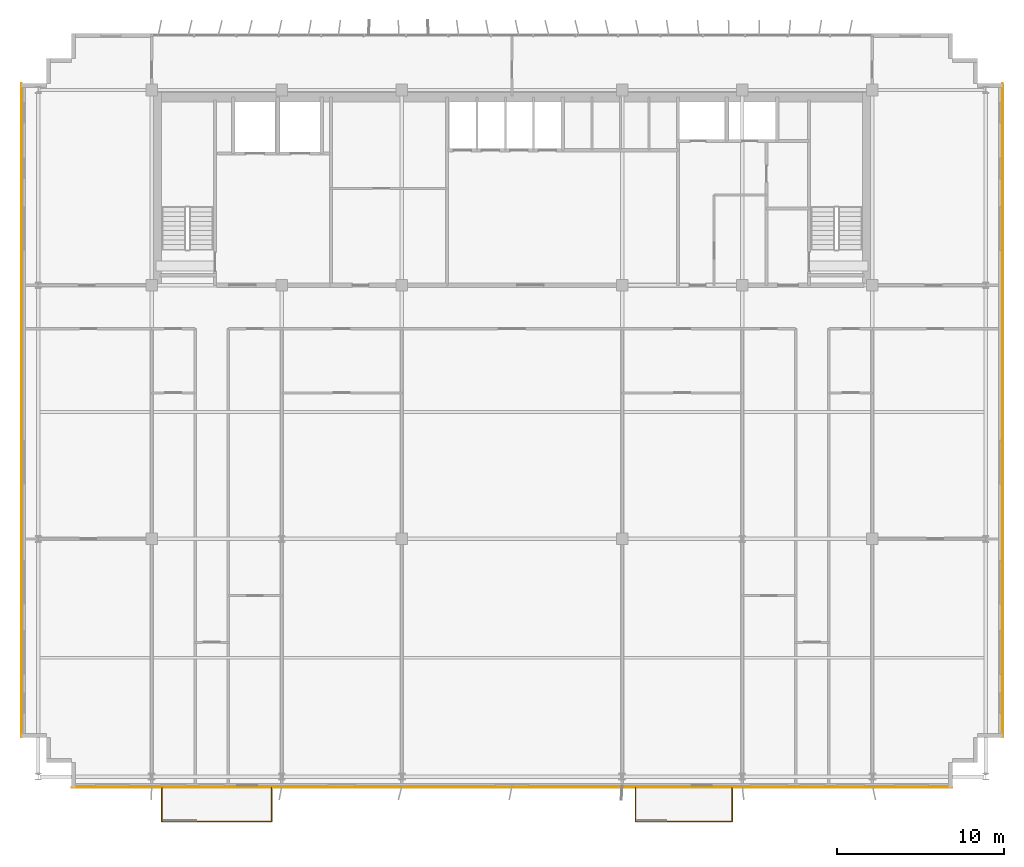
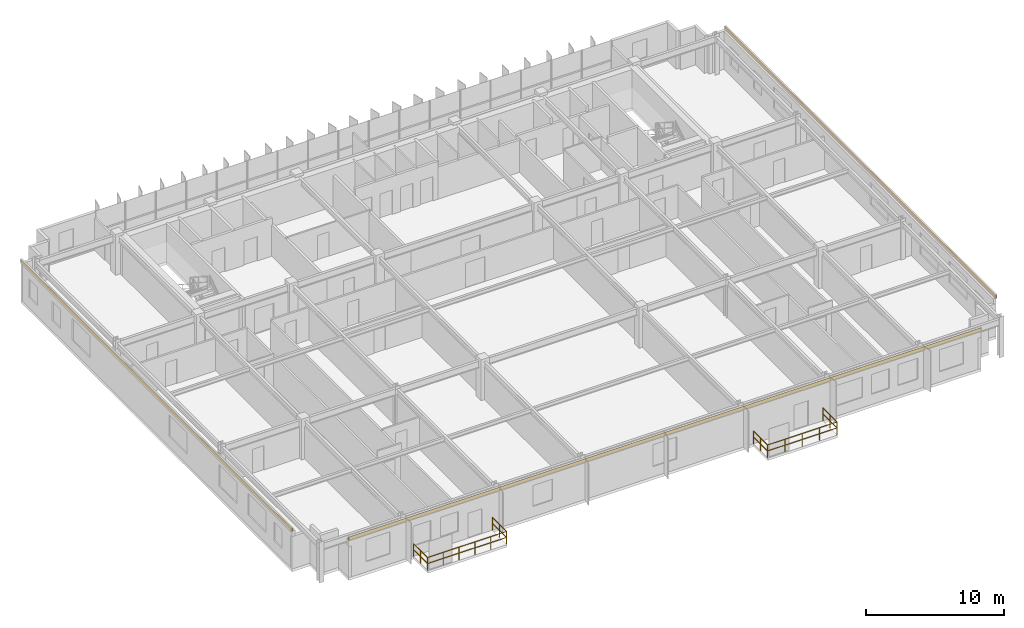
# One storey, part 19 of 20: 6 railings, 3 coverings.
"""IFC4 building model written with IfcOpenShell, lengths in metres."""

from ifc_helpers import new_model, si_unit, direction, frame, origin, origin_2d, place, context, subcontext, project, spatial, rectangle, extrude, source, transform, mapped, material, layer, layer_set, type_object, element, save


model = new_model("IFC4")

# Units and contexts
model_context = context("Model", 3, precision=1e-05, world=origin(), true_north=direction((0.0, 1.0)))
body_context = subcontext(model_context, "Body", "Model", "MODEL_VIEW")
ifc_project = project(units=[si_unit("LENGTHUNIT", "METRE"), si_unit("AREAUNIT", "SQUARE_METRE"), si_unit("VOLUMEUNIT", "CUBIC_METRE"), si_unit("PLANEANGLEUNIT", "RADIAN"), si_unit("MASSUNIT", "GRAM", prefix="KILO")], contexts=[model_context])

# Site, building, storey
site_placement = place(None, origin())
site = spatial("IfcSite", under=ifc_project, at=site_placement, CompositionType="ELEMENT")
building_placement = place(site_placement, origin())
building = spatial("IfcBuilding", under=site, at=building_placement, Name="Trelvane Seafront Commons", CompositionType="ELEMENT")
storey_placement = place(building_placement, frame((0.0, 0.0, 146.5)))
storey = spatial("IfcBuildingStorey", under=building, at=storey_placement, Name="L38", CompositionType="ELEMENT", Elevation=146.5)

# Railings
ifc_material_1 = material(Name="Stainless steel balustrade", Category="steel")
railing_type = type_object("IfcRailingType", Name="ARCH-RAIL-BAL1150", PredefinedType="BALUSTRADE", material=ifc_material_1)
railing_1_placement = place(storey_placement, frame((16.199951171875, 3.300048828125, 0.0)))
element("IfcRailing", 1, at=railing_1_placement, inside=storey, type_object=railing_type, Name="RL-L38-BAL0-01", PredefinedType="BALUSTRADE", context=body_context, shape_type="SweptSolid", body=[
    extrude(rectangle(XDim=0.048095703125, YDim=0.048095703125, at=origin_2d()), frame((0.0, 0.0, 1.1259765625), z_axis=(0.0, -1.0, 0.0), x_axis=(1.0, 0.0, 0.0)), (0.0, 0.0, 1.0), 2.0400390625),
    extrude(rectangle(XDim=0.048095703125, YDim=0.048095703125, at=origin_2d()), frame((0.0, 0.0, 0.597900390625), z_axis=(0.0, -1.0, 0.0), x_axis=(1.0, 0.0, 0.0)), (0.0, 0.0, 1.0), 2.0400390625),
    extrude(rectangle(XDim=0.0419921875, YDim=0.0419921875, at=origin_2d()), origin(), (0.0, 0.0, 1.0), 1.1259765625),
    extrude(rectangle(XDim=0.0419921875, YDim=0.0419921875, at=origin_2d()), frame((0.0, -1.02001953125, 0.0)), (0.0, 0.0, 1.0), 1.1259765625),
    extrude(rectangle(XDim=0.0419921875, YDim=0.0419921875, at=origin_2d()), frame((0.0, -2.0400390625, 0.0)), (0.0, 0.0, 1.0), 1.1259765625),
])
railing_2_placement = place(storey_placement, frame((16.199951171875, 1.260009765625, 0.0)))
element("IfcRailing", 2, at=railing_2_placement, inside=storey, type_object=railing_type, Name="RL-L38-BAL0-02", PredefinedType="BALUSTRADE", context=body_context, shape_type="SweptSolid", body=[
    extrude(rectangle(XDim=0.048095703125, YDim=0.048095703125, at=origin_2d()), frame((0.0, 0.0, 1.1259765625), z_axis=(1.0, 0.0, 0.0), x_axis=(0.0, 1.0, 0.0)), (0.0, 0.0, 1.0), 6.60009765625),
    extrude(rectangle(XDim=0.048095703125, YDim=0.048095703125, at=origin_2d()), frame((0.0, 0.0, 0.597900390625), z_axis=(1.0, 0.0, 0.0), x_axis=(0.0, 1.0, 0.0)), (0.0, 0.0, 1.0), 6.60009765625),
    extrude(rectangle(XDim=0.0419921875, YDim=0.0419921875, at=origin_2d()), origin(), (0.0, 0.0, 1.0), 1.1259765625),
    extrude(rectangle(XDim=0.0419921875, YDim=0.0419921875, at=origin_2d()), frame((1.320068359375, 0.0, 0.0)), (0.0, 0.0, 1.0), 1.1259765625),
    extrude(rectangle(XDim=0.0419921875, YDim=0.0419921875, at=origin_2d()), frame((2.64013671875, 0.0, 0.0)), (0.0, 0.0, 1.0), 1.1259765625),
    extrude(rectangle(XDim=0.0419921875, YDim=0.0419921875, at=origin_2d()), frame((3.9599609375, 0.0, 0.0)), (0.0, 0.0, 1.0), 1.1259765625),
    extrude(rectangle(XDim=0.0419921875, YDim=0.0419921875, at=origin_2d()), frame((5.280029296875, 0.0, 0.0)), (0.0, 0.0, 1.0), 1.1259765625),
    extrude(rectangle(XDim=0.0419921875, YDim=0.0419921875, at=origin_2d()), frame((6.60009765625, 0.0, 0.0)), (0.0, 0.0, 1.0), 1.1259765625),
])
railing_3_placement = place(storey_placement, frame((22.800048828125, 1.260009765625, 0.0)))
element("IfcRailing", 3, at=railing_3_placement, inside=storey, type_object=railing_type, Name="RL-L38-BAL0-03", PredefinedType="BALUSTRADE", context=body_context, shape_type="SweptSolid", body=[
    extrude(rectangle(XDim=0.048095703125, YDim=0.048095703125, at=origin_2d()), frame((0.0, 0.0, 1.1259765625), z_axis=(0.0, 1.0, 0.0), x_axis=(-1.0, 0.0, 0.0)), (0.0, 0.0, 1.0), 2.0400390625),
    extrude(rectangle(XDim=0.048095703125, YDim=0.048095703125, at=origin_2d()), frame((0.0, 0.0, 0.597900390625), z_axis=(0.0, 1.0, 0.0), x_axis=(-1.0, 0.0, 0.0)), (0.0, 0.0, 1.0), 2.0400390625),
    extrude(rectangle(XDim=0.0419921875, YDim=0.0419921875, at=origin_2d()), origin(), (0.0, 0.0, 1.0), 1.1259765625),
    extrude(rectangle(XDim=0.0419921875, YDim=0.0419921875, at=origin_2d()), frame((0.0, 1.02001953125, 0.0)), (0.0, 0.0, 1.0), 1.1259765625),
    extrude(rectangle(XDim=0.0419921875, YDim=0.0419921875, at=origin_2d()), frame((0.0, 2.0400390625, 0.0)), (0.0, 0.0, 1.0), 1.1259765625),
])
railing_4_placement = place(storey_placement, frame((44.60009765625, 3.300048828125, 0.0)))
element("IfcRailing", 4, at=railing_4_placement, inside=storey, type_object=railing_type, Name="RL-L38-BAL1-01", PredefinedType="BALUSTRADE", context=body_context, shape_type="SweptSolid", body=[
    extrude(rectangle(XDim=0.048095703125, YDim=0.048095703125, at=origin_2d()), frame((0.0, 0.0, 1.1259765625), z_axis=(0.0, -1.0, 0.0), x_axis=(1.0, 0.0, 0.0)), (0.0, 0.0, 1.0), 2.0400390625),
    extrude(rectangle(XDim=0.048095703125, YDim=0.048095703125, at=origin_2d()), frame((0.0, 0.0, 0.597900390625), z_axis=(0.0, -1.0, 0.0), x_axis=(1.0, 0.0, 0.0)), (0.0, 0.0, 1.0), 2.0400390625),
    extrude(rectangle(XDim=0.0419921875, YDim=0.0419921875, at=origin_2d()), origin(), (0.0, 0.0, 1.0), 1.1259765625),
    extrude(rectangle(XDim=0.0419921875, YDim=0.0419921875, at=origin_2d()), frame((0.0, -1.02001953125, 0.0)), (0.0, 0.0, 1.0), 1.1259765625),
    extrude(rectangle(XDim=0.0419921875, YDim=0.0419921875, at=origin_2d()), frame((0.0, -2.0400390625, 0.0)), (0.0, 0.0, 1.0), 1.1259765625),
])
railing_5_placement = place(storey_placement, frame((44.60009765625, 1.260009765625, 0.0)))
element("IfcRailing", 5, at=railing_5_placement, inside=storey, type_object=railing_type, Name="RL-L38-BAL1-02", PredefinedType="BALUSTRADE", context=body_context, shape_type="SweptSolid", body=[
    extrude(rectangle(XDim=0.048095703125, YDim=0.048095703125, at=origin_2d()), frame((0.0, 0.0, 1.1259765625), z_axis=(1.0, 0.0, 0.0), x_axis=(0.0, 1.0, 0.0)), (0.0, 0.0, 1.0), 5.7998046875),
    extrude(rectangle(XDim=0.048095703125, YDim=0.048095703125, at=origin_2d()), frame((0.0, 0.0, 0.597900390625), z_axis=(1.0, 0.0, 0.0), x_axis=(0.0, 1.0, 0.0)), (0.0, 0.0, 1.0), 5.7998046875),
    extrude(rectangle(XDim=0.0419921875, YDim=0.0419921875, at=origin_2d()), origin(), (0.0, 0.0, 1.0), 1.1259765625),
    extrude(rectangle(XDim=0.0419921875, YDim=0.0419921875, at=origin_2d()), frame((1.449951171875, 0.0, 0.0)), (0.0, 0.0, 1.0), 1.1259765625),
    extrude(rectangle(XDim=0.0419921875, YDim=0.0419921875, at=origin_2d()), frame((2.89990234375, 0.0, 0.0)), (0.0, 0.0, 1.0), 1.1259765625),
    extrude(rectangle(XDim=0.0419921875, YDim=0.0419921875, at=origin_2d()), frame((4.349853515625, 0.0, 0.0)), (0.0, 0.0, 1.0), 1.1259765625),
    extrude(rectangle(XDim=0.0419921875, YDim=0.0419921875, at=origin_2d()), frame((5.7998046875, 0.0, 0.0)), (0.0, 0.0, 1.0), 1.1259765625),
])
railing_6_placement = place(storey_placement, frame((50.39990234375, 1.260009765625, 0.0)))
element("IfcRailing", 6, at=railing_6_placement, inside=storey, type_object=railing_type, Name="RL-L38-BAL1-03", PredefinedType="BALUSTRADE", context=body_context, shape_type="SweptSolid", body=[
    extrude(rectangle(XDim=0.048095703125, YDim=0.048095703125, at=origin_2d()), frame((0.0, 0.0, 1.1259765625), z_axis=(0.0, 1.0, 0.0), x_axis=(-1.0, 0.0, 0.0)), (0.0, 0.0, 1.0), 2.0400390625),
    extrude(rectangle(XDim=0.048095703125, YDim=0.048095703125, at=origin_2d()), frame((0.0, 0.0, 0.597900390625), z_axis=(0.0, 1.0, 0.0), x_axis=(-1.0, 0.0, 0.0)), (0.0, 0.0, 1.0), 2.0400390625),
    extrude(rectangle(XDim=0.0419921875, YDim=0.0419921875, at=origin_2d()), origin(), (0.0, 0.0, 1.0), 1.1259765625),
    extrude(rectangle(XDim=0.0419921875, YDim=0.0419921875, at=origin_2d()), frame((0.0, 1.02001953125, 0.0)), (0.0, 0.0, 1.0), 1.1259765625),
    extrude(rectangle(XDim=0.0419921875, YDim=0.0419921875, at=origin_2d()), frame((0.0, 2.0400390625, 0.0)), (0.0, 0.0, 1.0), 1.1259765625),
])

# Coverings
ifc_material_2 = material(Name="Anodised pale-silver aluminium", Category="aluminium")
ifc_layer = layer(ifc_material_2, 0.034912109375, Name="ARCH-COV-CLAD35")
ifc_layer_set = layer_set([ifc_layer], Name="Anodised pale-silver aluminium")
covering_type = type_object("IfcCoveringType", Name="ARCH-COV-CLAD35", PredefinedType="CLADDING", material=ifc_layer_set)
shared_shape_1 = source(origin(), body_context, "Body", "SweptSolid", [
    extrude(rectangle(XDim=39.199951171875, YDim=0.034912109375, at=origin_2d()), origin(), (0.0, 0.0, 1.0), 0.2900390625),
])
for number, where, z_axis, x_axis, name in (
    (7, (7.800048828125, 25.89990234375, 3.31005859375), (0.0, 0.0, 1.0), (0.0, 1.0, 0.0), "CLD-L38-00155"),
    (8, (66.60009765625, 25.89990234375, 3.31005859375), (0.0, 0.0, 1.0), (0.0, -1.0, 0.0), "CLD-L38-00156"),
):
    element("IfcCovering", number, at=place(storey_placement, frame(where, z_axis=z_axis, x_axis=x_axis)), inside=storey, type_object=covering_type, Name=name, PredefinedType="CLADDING", context=body_context, shape_type="MappedRepresentation", body=[
        mapped(shared_shape_1, transform((0.0, 0.0, 0.0), x_axis=(1.0, 0.0, 0.0), y_axis=(0.0, 1.0, 0.0), z_axis=(0.0, 0.0, 1.0), scale=1.0)),
    ])
shared_shape_2 = source(origin(), body_context, "Body", "SweptSolid", [
    extrude(rectangle(XDim=52.800048828125, YDim=0.034912109375, at=origin_2d()), origin(), (0.0, 0.0, 1.0), 0.2900390625),
])
covering_placement = place(storey_placement, frame((37.199951171875, 3.300048828125, 3.31005859375), z_axis=(0.0, 0.0, 1.0), x_axis=(-1.0, 0.0, 0.0)))
element("IfcCovering", 9, at=covering_placement, inside=storey, type_object=covering_type, Name="CLD-L38-00157", PredefinedType="CLADDING", context=body_context, shape_type="MappedRepresentation", body=[
    mapped(shared_shape_2, transform((0.0, 0.0, 0.0), x_axis=(1.0, 0.0, 0.0), y_axis=(0.0, 1.0, 0.0), z_axis=(0.0, 0.0, 1.0), scale=1.0)),
])

save(model, "model.ifc")
